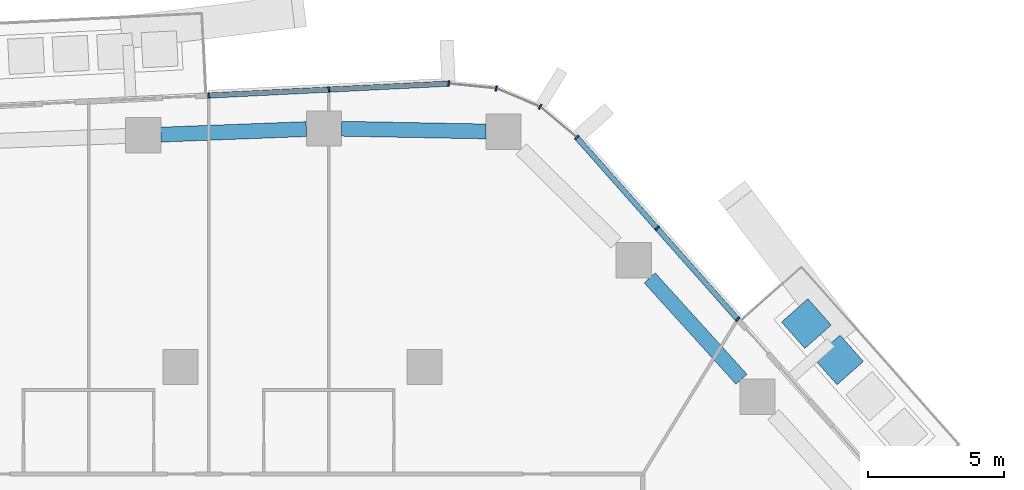
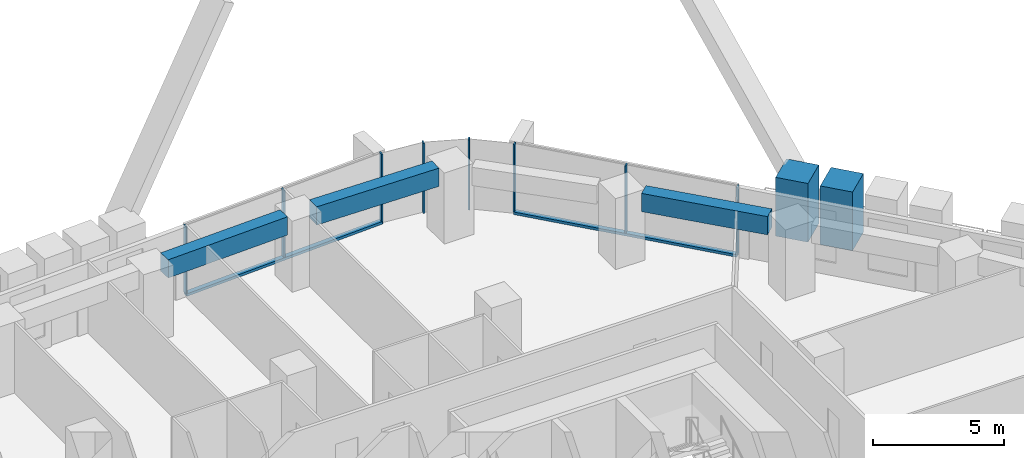
# One storey, part 8 of 25: 12 members, 3 beams, 3 elements without a shape of their own.
"""IFC4 building model written with IfcOpenShell, lengths in metres."""

import ifcopenshell
import ifcopenshell.guid

model = None  # the IFC model being written
_history = None  # IfcOwnerHistory: only IFC2X3 demands one
_inside = {}  # id of a spatial element -> (the spatial element, [elements in it])
_under = {}  # id of a project, library or spatial element -> (it, [spatial elements below it])
_declared = {}  # id of a project -> (the project, [libraries it declares])
_typed = {}  # id of a type object -> (the type object, [elements of that type])
_made_of = {}  # id of a material, layer set ... -> (it, [elements and type objects made of it])


def new_model(schema):
    """Start an empty IFC model of exactly this schema.

    Asked for "IFC4X3", IfcOpenShell would pick the latest addendum, in which some entities
    have other attributes; the version numbers below select the first issue.
    IFC2X3 requires an IfcOwnerHistory on every rooted entity: one is made here for all.
    """
    global model, _history
    if schema == "IFC4X3":
        model = ifcopenshell.file(schema_version=(4, 3, 0, 0))
    else:
        model = ifcopenshell.file(schema=schema)
    _inside.clear()
    _under.clear()
    _declared.clear()
    _typed.clear()
    _made_of.clear()
    _history = None
    if model.schema == "IFC2X3":
        org = make("IfcOrganization", Name="unknown")
        user = make(
            "IfcPersonAndOrganization",
            ThePerson=make("IfcPerson", FamilyName="unknown"),
            TheOrganization=org,
        )
        app = make(
            "IfcApplication",
            ApplicationDeveloper=org,
            Version="unknown",
            ApplicationFullName="unknown",
            ApplicationIdentifier="unknown",
        )
        _history = make(
            "IfcOwnerHistory",
            OwningUser=user,
            OwningApplication=app,
            ChangeAction="ADDED",
            CreationDate=0,
        )
    return model


def make(cls, **values):
    """One entity of the class cls with the attributes given. An attribute that is None is left unset."""
    return model.create_entity(
        cls, **{name: value for name, value in values.items() if value is not None}
    )


def rooted(cls, **values):
    """An entity with a GlobalId (a new one), such as an element, a storey or a relation."""
    return make(cls, GlobalId=ifcopenshell.guid.new(), OwnerHistory=_history, **values)


def si_unit(unit_type, name, prefix=None):
    """IfcSIUnit, for example si_unit("LENGTHUNIT", "METRE", prefix="MILLI")."""
    return make("IfcSIUnit", UnitType=unit_type, Prefix=prefix, Name=name)


def assignment(units):
    """IfcUnitAssignment: the units of a project."""
    return None if units is None else make("IfcUnitAssignment", Units=units)


def point(xyz):
    """IfcCartesianPoint."""
    return None if xyz is None else make("IfcCartesianPoint", Coordinates=xyz)


def direction(xyz):
    """IfcDirection."""
    return None if xyz is None else make("IfcDirection", DirectionRatios=xyz)


def frame(location, z_axis=None, x_axis=None):
    """IfcAxis2Placement3D, a coordinate frame: its origin and axes. An axis left out is left unset."""
    return make(
        "IfcAxis2Placement3D",
        Location=point(location),
        Axis=direction(z_axis),
        RefDirection=direction(x_axis),
    )


def frame_2d(location, x_axis=None):
    """IfcAxis2Placement2D, a coordinate frame in the plane: its origin and x axis."""
    return make(
        "IfcAxis2Placement2D", Location=point(location), RefDirection=direction(x_axis)
    )


def origin():
    """The frame at (0, 0, 0) with its axes left unset."""
    return frame((0.0, 0.0, 0.0))


def origin_2d():
    """The frame at (0, 0) in the plane with its x axis left unset."""
    return frame_2d((0.0, 0.0))


def place(relative_to, where):
    """IfcLocalPlacement: puts the frame where relative to a parent placement (None: the world)."""
    return make(
        "IfcLocalPlacement", PlacementRelTo=relative_to, RelativePlacement=where
    )


def context(
    kind, dimensions, precision=None, world=None, true_north=None, identifier=None
):
    """IfcGeometricRepresentationContext, for example the 3D "Model" context."""
    return make(
        "IfcGeometricRepresentationContext",
        ContextIdentifier=identifier,
        ContextType=kind,
        CoordinateSpaceDimension=dimensions,
        Precision=precision,
        WorldCoordinateSystem=world,
        TrueNorth=true_north,
    )


def subcontext(parent, identifier, kind, view, scale=None):
    """IfcGeometricRepresentationSubContext, for example "Body" below "Model"."""
    return make(
        "IfcGeometricRepresentationSubContext",
        ContextIdentifier=identifier,
        ContextType=kind,
        ParentContext=parent,
        TargetScale=scale,
        TargetView=view,
    )


def project(units=None, contexts=None):
    """IfcProject with its units and contexts."""
    return rooted(
        "IfcProject",
        Name="project",
        RepresentationContexts=contexts,
        UnitsInContext=assignment(units),
    )


def spatial(cls, under=None, at=None, **own):
    """A site, building, storey or space (cls), placed at a placement, below another one or the project."""
    s = rooted(cls, ObjectPlacement=at, **own)
    if under is not None:
        _under.setdefault(under.id(), (under, []))[1].append(s)
    return s


def profile(cls, at=None, kind="AREA", **sizes):
    """A parametric profile (cls). Its sizes go by their IFC names, for example OverallWidth=200.0."""
    return make(cls, ProfileType=kind, Position=at, **sizes)


def rectangle(**sizes):
    """IfcRectangleProfileDef."""
    return profile("IfcRectangleProfileDef", **sizes)


def extrude(swept, where, along, depth):
    """IfcExtrudedAreaSolid: the profile swept, set in the frame where, extruded along a direction by depth."""
    return make(
        "IfcExtrudedAreaSolid",
        SweptArea=swept,
        Position=where,
        ExtrudedDirection=direction(along),
        Depth=depth,
    )


def shape(context_of_items, identifier, shape_type, items):
    """IfcShapeRepresentation: the items that make up one representation, for example the "Body"."""
    return make(
        "IfcShapeRepresentation",
        ContextOfItems=context_of_items,
        RepresentationIdentifier=identifier,
        RepresentationType=shape_type,
        Items=items,
    )


def material(Name=None, Category=None):
    """IfcMaterial."""
    return make("IfcMaterial", Name=Name, Category=Category)


def layer(
    of_material, thickness, ventilated=None, Name=None, Category=None, Priority=None
):
    """IfcMaterialLayer: one layer of a wall or slab, of a material (None: an air gap)."""
    return make(
        "IfcMaterialLayer",
        Material=of_material,
        LayerThickness=thickness,
        IsVentilated=ventilated,
        Name=Name,
        Category=Category,
        Priority=Priority,
    )


def layer_set(layers, Name=None):
    """IfcMaterialLayerSet."""
    return make("IfcMaterialLayerSet", MaterialLayers=layers, LayerSetName=Name)


def material_profile(
    of_material, cross_section, Name=None, Category=None, Priority=None
):
    """IfcMaterialProfile: a cross section and its material."""
    return make(
        "IfcMaterialProfile",
        Name=Name,
        Material=of_material,
        Profile=cross_section,
        Priority=Priority,
        Category=Category,
    )


def profile_set(profiles, Name=None, composite=None):
    """IfcMaterialProfileSet."""
    return make(
        "IfcMaterialProfileSet",
        Name=Name,
        MaterialProfiles=profiles,
        CompositeProfile=composite,
    )


def made_of(thing, what):
    """Note that an element or type object is made of a material, layer set ...; save() writes the relation."""
    if what is not None:
        _made_of.setdefault(what.id(), (what, []))[1].append(thing)
    return thing


def type_object(cls, material=None, **own):
    """A type object (cls), such as IfcWallType, which elements share."""
    return made_of(rooted(cls, **own), material)


def element(
    cls,
    number,
    at=None,
    inside=None,
    cuts=None,
    type_object=None,
    material=None,
    context=None,
    identifier="Body",
    shape_type=None,
    held_by="IfcProductDefinitionShape",
    body=None,
    shapes=None,
    **own,
):
    """One element of the class cls, such as IfcWall. Its Tag is "e" and its number.

    at: its placement. inside: the storey or other place that contains it. cuts: it is an
    opening in that element (IfcRelVoidsElement). A single representation is given by context,
    identifier, shape_type and body (its items); several are given by shapes. held_by: the class
    of the entity that holds the representations. save() writes the other relations.
    """
    e = rooted(cls, Tag="e%d" % number, ObjectPlacement=at, **own)
    if body is not None:
        shapes = [shape(context, identifier, shape_type, body)]
    if shapes is not None:
        e.Representation = make(held_by, Representations=shapes)
    if inside is not None:
        _inside.setdefault(inside.id(), (inside, []))[1].append(e)
    if cuts is not None:
        rooted(
            "IfcRelVoidsElement", RelatingBuildingElement=cuts, RelatedOpeningElement=e
        )
    if type_object is not None:
        _typed.setdefault(type_object.id(), (type_object, []))[1].append(e)
    return made_of(e, material)


def aggregate(whole, parts):
    """IfcRelAggregates: a whole, such as a stair, and the parts it consists of."""
    return rooted("IfcRelAggregates", RelatingObject=whole, RelatedObjects=parts)


def save(model, path):
    """Write the relations noted so far, then the file.

    IfcRelAggregates (storeys below a building ...), IfcRelContainedInSpatialStructure (elements
    in a storey), IfcRelDefinesByType, IfcRelAssociatesMaterial and IfcRelDeclares: one each for
    every whole, place, type object, material and project.
    """
    for whole, parts in _under.values():
        aggregate(whole, parts)
    for where, things in _inside.values():
        rooted(
            "IfcRelContainedInSpatialStructure",
            RelatedElements=things,
            RelatingStructure=where,
        )
    for kind, things in _typed.values():
        rooted("IfcRelDefinesByType", RelatedObjects=things, RelatingType=kind)
    for what, things in _made_of.values():
        rooted("IfcRelAssociatesMaterial", RelatedObjects=things, RelatingMaterial=what)
    for by, libraries in _declared.values():
        rooted("IfcRelDeclares", RelatingContext=by, RelatedDefinitions=libraries)
    model.write(path)


model = new_model("IFC4")

# Units and contexts
model_context = context("Model", 3, precision=1e-05, world=origin(), true_north=direction((0.0, 1.0)))
body_context = subcontext(model_context, "Body", "Model", "MODEL_VIEW")
ifc_project = project(units=[si_unit("LENGTHUNIT", "METRE"), si_unit("AREAUNIT", "SQUARE_METRE"), si_unit("VOLUMEUNIT", "CUBIC_METRE"), si_unit("PLANEANGLEUNIT", "RADIAN"), si_unit("MASSUNIT", "GRAM", prefix="KILO")], contexts=[model_context])

# Site, building, storey
site_placement = place(None, origin())
site = spatial("IfcSite", under=ifc_project, at=site_placement, CompositionType="ELEMENT")
building_placement = place(site_placement, origin())
building = spatial("IfcBuilding", under=site, at=building_placement, Name="Dongbaek Canopy Tower", CompositionType="ELEMENT")
storey_placement = place(building_placement, frame((0.0, 0.0, 102.60009765625)))
storey = spatial("IfcBuildingStorey", under=building, at=storey_placement, Name="L21", CompositionType="ELEMENT", Elevation=102.60009765625)

# Curtain wall, members
ifc_material_1 = material(Name="Aluminium 6063-T6 pale anodised", Category="aluminium")
ifc_layer = layer(ifc_material_1, 0.199951171875)
ifc_layer_set = layer_set([ifc_layer], Name="CW-1 unitised tower curtain wall")
curtain_wall_type = type_object("IfcCurtainWallType", Name="CW-1 unitised tower curtain wall", PredefinedType="NOTDEFINED", material=ifc_layer_set)
curtain_wall_1_placement = place(storey_placement, origin())
curtain_wall_1 = element("IfcCurtainWall", 1, at=curtain_wall_1_placement, inside=storey, type_object=curtain_wall_type, Name="CW-1 curtain wall F0.1", PredefinedType="NOTDEFINED")
ifc_material_2 = material(Name="Aluminium 6063-T6 pale anodised", Category="aluminium")
ifc_material_profile_1 = material_profile(ifc_material_2, rectangle(XDim=0.199951171875, YDim=0.06005859375, at=origin_2d()), Name="CW-1 mullion 60 x 200")
ifc_profile_set_1 = profile_set([ifc_material_profile_1], Name="Aluminium 6063-T6 pale anodised")
member_type_1 = type_object("IfcMemberType", Name="CW-1 mullion 60 x 200", PredefinedType="MULLION", material=ifc_profile_set_1)
member_1_placement = place(storey_placement, frame((20.55322265625, 19.75830078125, 0.119873046875), z_axis=(0.0, 0.0, 1.0), x_axis=(0.748748761505, 0.662853899547, 0.0)))
member_1 = element("IfcMember", 2, at=member_1_placement, type_object=member_type_1, Name="CW-1 mullion F0.1.1", PredefinedType="MULLION", context=body_context, shape_type="SweptSolid", body=[
    extrude(rectangle(XDim=0.199951171875, YDim=0.06005859375, at=origin_2d()), origin(), (0.0, 0.0, 1.0), 3.130126953125),
])
member_2_placement = place(storey_placement, frame((17.58251953125, 23.1142578125, 0.119873046875), z_axis=(0.0, 0.0, 1.0), x_axis=(0.748748761505, 0.662853899547, 0.0)))
member_2 = element("IfcMember", 3, at=member_2_placement, type_object=member_type_1, Name="CW-1 mullion F0.1.2", PredefinedType="MULLION", context=body_context, shape_type="SweptSolid", body=[
    extrude(rectangle(XDim=0.199951171875, YDim=0.06005859375, at=origin_2d()), origin(), (0.0, 0.0, 1.0), 3.130126953125),
])
member_3_placement = place(storey_placement, frame((14.616455078125, 26.46435546875, 0.119873046875), z_axis=(0.0, 0.0, 1.0), x_axis=(0.748748761505, 0.662853899547, 0.0)))
member_3 = element("IfcMember", 4, at=member_3_placement, type_object=member_type_1, Name="CW-1 mullion F0.1.3", PredefinedType="MULLION", context=body_context, shape_type="SweptSolid", body=[
    extrude(rectangle(XDim=0.199951171875, YDim=0.06005859375, at=origin_2d()), origin(), (0.0, 0.0, 1.0), 3.130126953125),
])

curtain_wall_2_placement = place(storey_placement, origin())
curtain_wall_2 = element("IfcCurtainWall", 5, at=curtain_wall_2_placement, inside=storey, type_object=curtain_wall_type, Name="CW-1 curtain wall K1.1", PredefinedType="NOTDEFINED")
member_4_placement = place(storey_placement, frame((13.26513671875, 27.595458984375, 0.0), z_axis=(0.0, 0.0, 1.0), x_axis=(0.52063580257, 0.853778871302, 0.0)))
member_4 = element("IfcMember", 6, at=member_4_placement, type_object=member_type_1, Name="CW-1 mullion K1.1.2", PredefinedType="MULLION", context=body_context, shape_type="SweptSolid", body=[
    extrude(rectangle(XDim=0.199951171875, YDim=0.06005859375, at=origin_2d()), origin(), (0.0, 0.0, 1.0), 3.25),
])
member_5_placement = place(storey_placement, frame((11.647705078125, 28.276123046875, 0.0), z_axis=(0.0, 0.0, 1.0), x_axis=(0.246452892048, 0.969154771954, 0.0)))
member_5 = element("IfcMember", 7, at=member_5_placement, type_object=member_type_1, Name="CW-1 mullion K1.1.3", PredefinedType="MULLION", context=body_context, shape_type="SweptSolid", body=[
    extrude(rectangle(XDim=0.199951171875, YDim=0.06005859375, at=origin_2d()), origin(), (0.0, 0.0, 1.0), 3.25),
])
member_6_placement = place(storey_placement, frame((9.89404296875, 28.45166015625, 0.0), z_axis=(0.0, 0.0, 1.0), x_axis=(0.099564835385, 0.995031076678, 0.0)))
member_6 = element("IfcMember", 8, at=member_6_placement, type_object=member_type_1, Name="CW-1 mullion K1.1.4", PredefinedType="MULLION", context=body_context, shape_type="SweptSolid", body=[
    extrude(rectangle(XDim=0.199951171875, YDim=0.06005859375, at=origin_2d()), origin(), (0.0, 0.0, 1.0), 3.25),
])
aggregate(curtain_wall_2, [member_4, member_5, member_6])

curtain_wall_3_placement = place(storey_placement, origin())
curtain_wall_3 = element("IfcCurtainWall", 9, at=curtain_wall_3_placement, inside=storey, type_object=curtain_wall_type, Name="CW-1 curtain wall F1.1", PredefinedType="NOTDEFINED")
member_7_placement = place(storey_placement, frame((5.471923828125, 28.232177734375, 0.119873046875), z_axis=(0.0, 0.0, 1.0), x_axis=(-0.049538109177, 0.998772234165, 0.0)))
member_7 = element("IfcMember", 10, at=member_7_placement, type_object=member_type_1, Name="CW-1 mullion F1.1.2", PredefinedType="MULLION", context=body_context, shape_type="SweptSolid", body=[
    extrude(rectangle(XDim=0.199951171875, YDim=0.06005859375, at=origin_2d()), origin(), (0.0, 0.0, 1.0), 3.130126953125),
])
member_8_placement = place(storey_placement, frame((1.042236328125, 28.012451171875, 0.119873046875), z_axis=(0.0, 0.0, 1.0), x_axis=(-0.049538109177, 0.998772234165, 0.0)))
member_8 = element("IfcMember", 11, at=member_8_placement, type_object=member_type_1, Name="CW-1 mullion F1.1.3", PredefinedType="MULLION", context=body_context, shape_type="SweptSolid", body=[
    extrude(rectangle(XDim=0.199951171875, YDim=0.06005859375, at=origin_2d()), origin(), (0.0, 0.0, 1.0), 3.130126953125),
])

# Member
ifc_material_3 = material(Name="Aluminium 6063-T6 pale anodised", Category="aluminium")
ifc_material_profile_2 = material_profile(ifc_material_3, rectangle(XDim=0.199951171875, YDim=0.1201171875, at=origin_2d()), Name="CW-1 transom 120 x 200")
ifc_profile_set_2 = profile_set([ifc_material_profile_2], Name="Aluminium 6063-T6 pale anodised")
member_type_2 = type_object("IfcMemberType", Name="CW-1 transom 120 x 200", PredefinedType="USERDEFINED", material=ifc_profile_set_2)
member_9_placement = place(storey_placement, frame((20.55322265625, 19.75830078125, 0.059814453125), z_axis=(-0.662854975581, 0.74874780891, 0.0), x_axis=(-0.74874780891, -0.662854975581, 0.0)))
member_9 = element("IfcMember", 12, at=member_9_placement, type_object=member_type_2, Name="CW-1 transom F0.1.1", ObjectType="TRANSOM", PredefinedType="USERDEFINED", context=body_context, shape_type="SweptSolid", body=[
    extrude(rectangle(XDim=0.199951171875, YDim=0.1201171875, at=origin_2d()), origin(), (0.0, 0.0, 1.0), 8.956298828125),
])

aggregate(curtain_wall_1, [member_1, member_2, member_3, member_9])

member_10_placement = place(storey_placement, frame((9.89404296875, 28.45166015625, 0.059814453125), z_axis=(-0.998771295089, -0.049557038913, 0.0), x_axis=(0.049557038913, -0.998771295089, 0.0)))
member_10 = element("IfcMember", 13, at=member_10_placement, type_object=member_type_2, Name="CW-1 transom F1.1.1", ObjectType="TRANSOM", PredefinedType="USERDEFINED", context=body_context, shape_type="SweptSolid", body=[
    extrude(rectangle(XDim=0.199951171875, YDim=0.1201171875, at=origin_2d()), origin(), (0.0, 0.0, 1.0), 8.86279296875),
])

aggregate(curtain_wall_3, [member_7, member_8, member_10])

# Beams
ifc_material_4 = material(Name="Concrete C80", Category="concrete")
ifc_material_profile_3 = material_profile(ifc_material_4, rectangle(XDim=0.550048828125, YDim=0.85009765625, at=origin_2d()), Name="RC EDGE BEAM 550x850 C80")
ifc_profile_set_3 = profile_set([ifc_material_profile_3], Name="Concrete C80")
beam_type = type_object("IfcBeamType", Name="RC EDGE BEAM 550x850 C80", PredefinedType="BEAM", material=ifc_profile_set_3)
beam_1_placement = place(storey_placement, frame((-0.721923828125, 26.56884765625, 2.875), z_axis=(0.999275939063, 0.03804730751, 0.0), x_axis=(-0.03804730751, 0.999275939063, 0.0)))
element("IfcBeam", 14, at=beam_1_placement, inside=storey, type_object=beam_type, Name="EDGEBEAM:L21:15", PredefinedType="BEAM", context=body_context, shape_type="SweptSolid", body=[
    extrude(rectangle(XDim=0.550048828125, YDim=0.85009765625, at=origin_2d()), origin(), (0.0, 0.0, 1.0), 5.370849609375),
])
beam_2_placement = place(storey_placement, frame((5.945068359375, 26.785888671875, 2.875), z_axis=(0.999824893163, -0.018713177504, 0.0), x_axis=(0.018713177504, 0.999824893163, 0.0)))
element("IfcBeam", 15, at=beam_2_placement, inside=storey, type_object=beam_type, Name="EDGEBEAM:L21:16", PredefinedType="BEAM", context=body_context, shape_type="SweptSolid", body=[
    extrude(rectangle(XDim=0.550048828125, YDim=0.85009765625, at=origin_2d()), origin(), (0.0, 0.0, 1.0), 5.322998046875),
])
beam_3_placement = place(storey_placement, frame((17.306640625, 21.284912109375, 2.875), z_axis=(0.671331632341, -0.741157094966, 0.0), x_axis=(0.741157094966, 0.671331632341, 0.0)))
element("IfcBeam", 16, at=beam_3_placement, inside=storey, type_object=beam_type, Name="EDGEBEAM:L21:18", PredefinedType="BEAM", context=body_context, shape_type="SweptSolid", body=[
    extrude(rectangle(XDim=0.550048828125, YDim=0.85009765625, at=origin_2d()), origin(), (0.0, 0.0, 1.0), 5.041748046875),
])

# Members
ifc_material_5 = material(Name="Concrete C40/50 planter mass with planting", Category="concrete")
ifc_material_profile_4 = material_profile(ifc_material_5, rectangle(XDim=1.300048828125, YDim=1.300048828125, at=origin_2d()), Name="Terrace PLANTER shrub mass 1300 x 1300")
ifc_profile_set_4 = profile_set([ifc_material_profile_4], Name="Concrete C40/50 planter mass with planting")
member_type_3 = type_object("IfcMemberType", Name="Terrace PLANTER shrub mass 1300 x 1300", PredefinedType="USERDEFINED", material=ifc_profile_set_4)
for number, where, z_axis, x_axis, name in (
    (17, (24.27099609375, 18.259521484375, 0.419921875), (0.0, 0.0, 1.0), (0.748748761505, 0.662853899547, 0.0), "Planter shrubs L21 1.3"),
    (18, (23.083740234375, 19.600341796875, 0.419921875), (0.0, 0.0, 1.0), (0.748748761505, 0.662853899547, 0.0), "Planter shrubs L21 1.4"),
):
    element("IfcMember", number, at=place(storey_placement, frame(where, z_axis=z_axis, x_axis=x_axis)), inside=storey, type_object=member_type_3, Name=name, ObjectType="PLANTER", PredefinedType="USERDEFINED", context=body_context, shape_type="SweptSolid", body=[
        extrude(rectangle(XDim=1.300048828125, YDim=1.300048828125, at=origin_2d()), origin(), (0.0, 0.0, 1.0), 2.72998046875),
    ])

save(model, "model.ifc")
